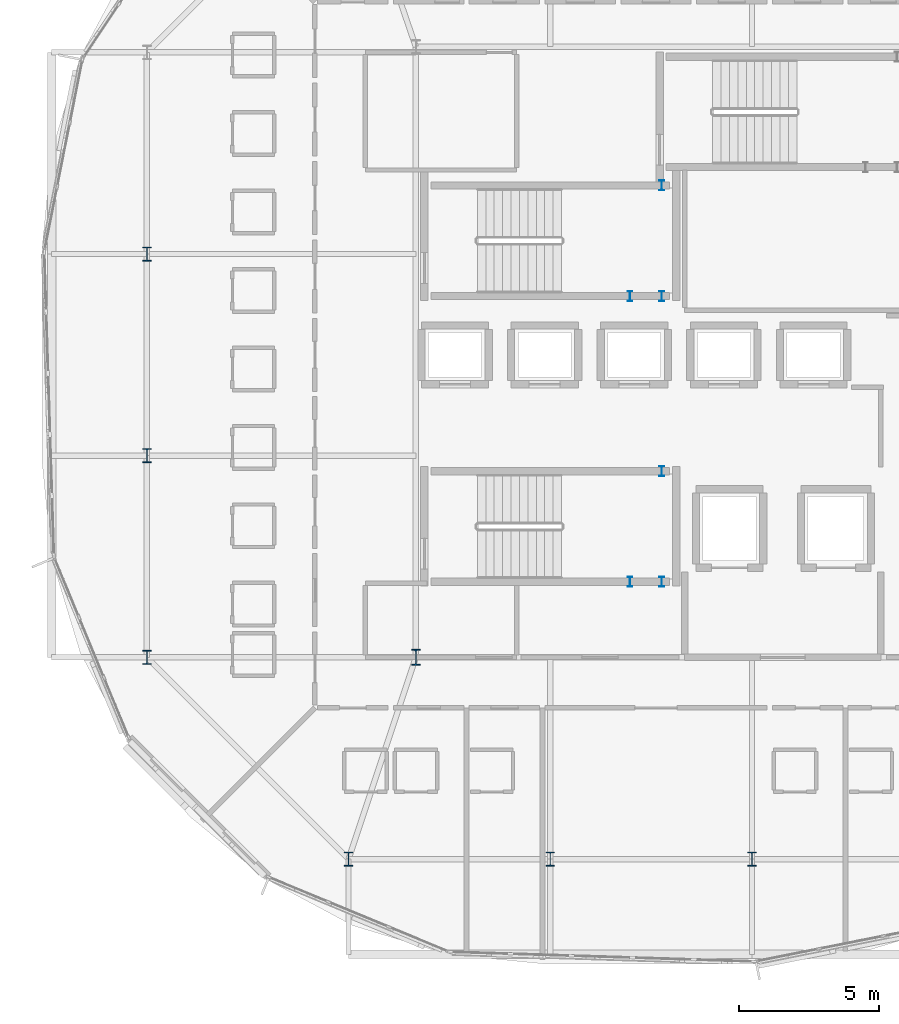
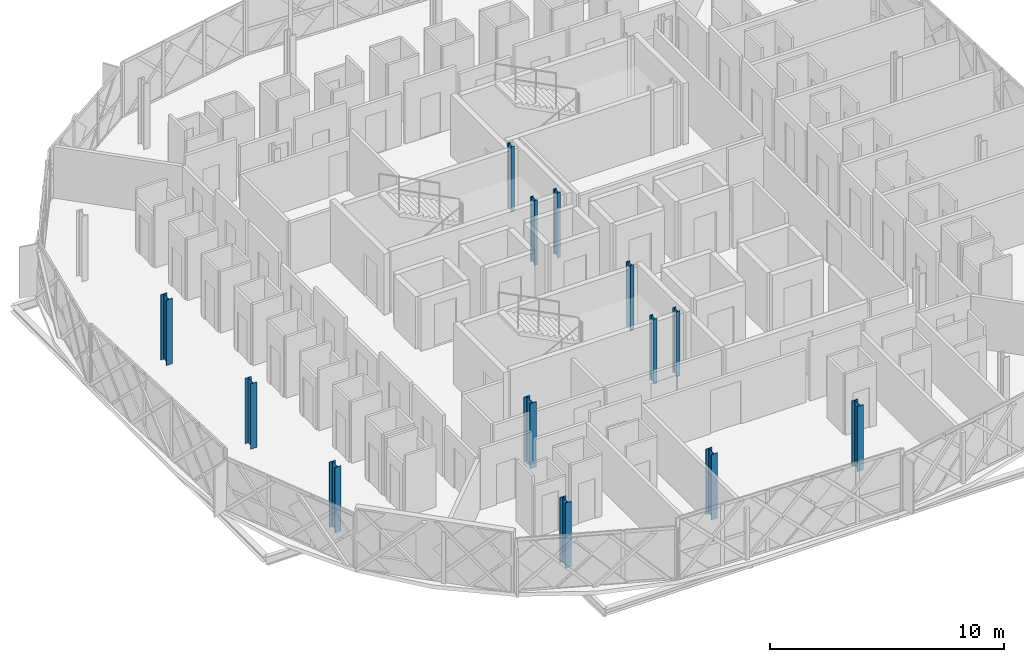
# One storey, part 1 of 26: 13 columns.
"""IFC4 building model written with IfcOpenShell, lengths in metres."""

from ifc_helpers import new_model, si_unit, direction, frame, origin, origin_2d, place, context, subcontext, project, spatial, i_section, extrude, material, material_profile, profile_set, type_object, element, save


model = new_model("IFC4")

# Units and contexts
model_context = context("Model", 3, precision=1e-05, world=origin(), true_north=direction((0.0, 1.0)))
body_context = subcontext(model_context, "Body", "Model", "MODEL_VIEW")
ifc_project = project(units=[si_unit("LENGTHUNIT", "METRE"), si_unit("AREAUNIT", "SQUARE_METRE"), si_unit("VOLUMEUNIT", "CUBIC_METRE"), si_unit("PLANEANGLEUNIT", "RADIAN"), si_unit("MASSUNIT", "GRAM", prefix="KILO")], contexts=[model_context])

# Site, building, storey
site_placement = place(None, origin())
site = spatial("IfcSite", under=ifc_project, at=site_placement, CompositionType="ELEMENT")
building_placement = place(site_placement, origin())
building = spatial("IfcBuilding", under=site, at=building_placement, Name="Zevrakil Square Congress Hotel", CompositionType="ELEMENT")
storey_placement = place(building_placement, frame((0.0, 0.0, 24.89990234375)))
storey = spatial("IfcBuildingStorey", under=building, at=storey_placement, Name="L07", CompositionType="ELEMENT", Elevation=24.89990234375)

# Columns
ifc_material_1 = material(Name="Steel S355", Category="steel")
ifc_material_profile_1 = material_profile(ifc_material_1, i_section(OverallWidth=0.300048828125, OverallDepth=0.5, WebThickness=0.014404296875, FlangeThickness=0.028076171875, FilletRadius=0.027099609375, at=origin_2d()), Name="HEB 500")
ifc_profile_set_1 = profile_set([ifc_material_profile_1], Name="Steel S355")
column_type_1 = type_object("IfcColumnType", Name="COL-HEB500", PredefinedType="COLUMN", material=ifc_profile_set_1)
for number, where, z_axis, x_axis, name in (
    (1, (134.39990234375, 9.60009765625, 0.0), (0.0, 0.0, 1.0), (1.0, 0.0, 0.0), "L07 drum column DC01"),
    (2, (141.60009765625, 9.60009765625, 0.0), (0.0, 0.0, 1.0), (1.0, 0.0, 0.0), "L07 drum column DC02"),
    (3, (148.800048828125, 9.60009765625, 0.0), (0.0, 0.0, 1.0), (1.0, 0.0, 0.0), "L07 drum column DC03"),
    (4, (127.199951171875, 31.199951171875, 0.0), (0.0, 0.0, 1.0), (1.0, 0.0, 0.0), "L07 drum column DC14"),
    (5, (127.199951171875, 24.0, 0.0), (0.0, 0.0, 1.0), (1.0, 0.0, 0.0), "L07 drum column DC15"),
    (6, (127.199951171875, 16.800048828125, 0.0), (0.0, 0.0, 1.0), (1.0, 0.0, 0.0), "L07 drum column DC16"),
):
    element("IfcColumn", number, at=place(storey_placement, frame(where, z_axis=z_axis, x_axis=x_axis)), inside=storey, type_object=column_type_1, Name=name, PredefinedType="COLUMN", context=body_context, shape_type="SweptSolid", body=[
        extrude(i_section(OverallWidth=0.300048828125, OverallDepth=0.5, WebThickness=0.014404296875, FlangeThickness=0.028076171875, FilletRadius=0.027099609375, at=origin_2d()), origin(), (0.0, 0.0, 1.0), 3.400146484375),
    ])
ifc_material_2 = material(Name="Steel S355", Category="steel")
ifc_material_profile_2 = material_profile(ifc_material_2, i_section(OverallWidth=0.305908203125, OverallDepth=0.572021484375, WebThickness=0.02099609375, FlangeThickness=0.0400390625, FilletRadius=0.027099609375, at=origin_2d()), Name="HEM 550")
ifc_profile_set_2 = profile_set([ifc_material_profile_2], Name="Steel S355")
column_type_2 = type_object("IfcColumnType", Name="COL-HEM550", PredefinedType="COLUMN", material=ifc_profile_set_2)
column_placement = place(storey_placement, frame((136.800048828125, 16.800048828125, 0.0), z_axis=(0.0, 0.0, 1.0), x_axis=(1.0, 0.0, 0.0)))
element("IfcColumn", 7, at=column_placement, inside=storey, type_object=column_type_2, Name="L07 column C-206", PredefinedType="COLUMN", context=body_context, shape_type="SweptSolid", body=[
    extrude(i_section(OverallWidth=0.305908203125, OverallDepth=0.572021484375, WebThickness=0.02099609375, FlangeThickness=0.0400390625, FilletRadius=0.027099609375, at=origin_2d()), origin(), (0.0, 0.0, 1.0), 3.400146484375),
])
ifc_material_3 = material(Name="Steel S355", Category="steel")
ifc_material_profile_3 = material_profile(ifc_material_3, i_section(OverallWidth=0.169921875, OverallDepth=0.360107421875, WebThickness=0.008056640625, FlangeThickness=0.0126953125, FilletRadius=0.01806640625, at=origin_2d()), Name="IPE 360")
ifc_profile_set_3 = profile_set([ifc_material_profile_3], Name="Steel S355")
column_type_3 = type_object("IfcColumnType", Name="COL-PILASTER-SHS180", PredefinedType="PILASTER", material=ifc_profile_set_3)
for number, where, z_axis, x_axis, name in (
    (8, (144.449951171875, 19.5, 0.0), (0.0, 0.0, 1.0), (1.0, 0.0, 0.0), "L07 ST01 stair shaft post 1"),
    (9, (145.580078125, 19.5, 0.0), (0.0, 0.0, 1.0), (1.0, 0.0, 0.0), "L07 ST01 stair shaft post 2"),
    (10, (145.580078125, 23.449951171875, 0.0), (0.0, 0.0, 1.0), (1.0, 0.0, 0.0), "L07 ST01 stair shaft post 3"),
    (11, (144.449951171875, 29.699951171875, 0.0), (0.0, 0.0, 1.0), (1.0, 0.0, 0.0), "L07 ST02 stair shaft post 1"),
    (12, (145.580078125, 29.699951171875, 0.0), (0.0, 0.0, 1.0), (1.0, 0.0, 0.0), "L07 ST02 stair shaft post 2"),
    (13, (145.580078125, 33.64990234375, 0.0), (0.0, 0.0, 1.0), (1.0, 0.0, 0.0), "L07 ST02 stair shaft post 3"),
):
    element("IfcColumn", number, at=place(storey_placement, frame(where, z_axis=z_axis, x_axis=x_axis)), inside=storey, type_object=column_type_3, Name=name, PredefinedType="PILASTER", context=body_context, shape_type="SweptSolid", body=[
        extrude(i_section(OverallWidth=0.169921875, OverallDepth=0.360107421875, WebThickness=0.008056640625, FlangeThickness=0.0126953125, FilletRadius=0.01806640625, at=origin_2d()), origin(), (0.0, 0.0, 1.0), 3.400146484375),
    ])

save(model, "model.ifc")
